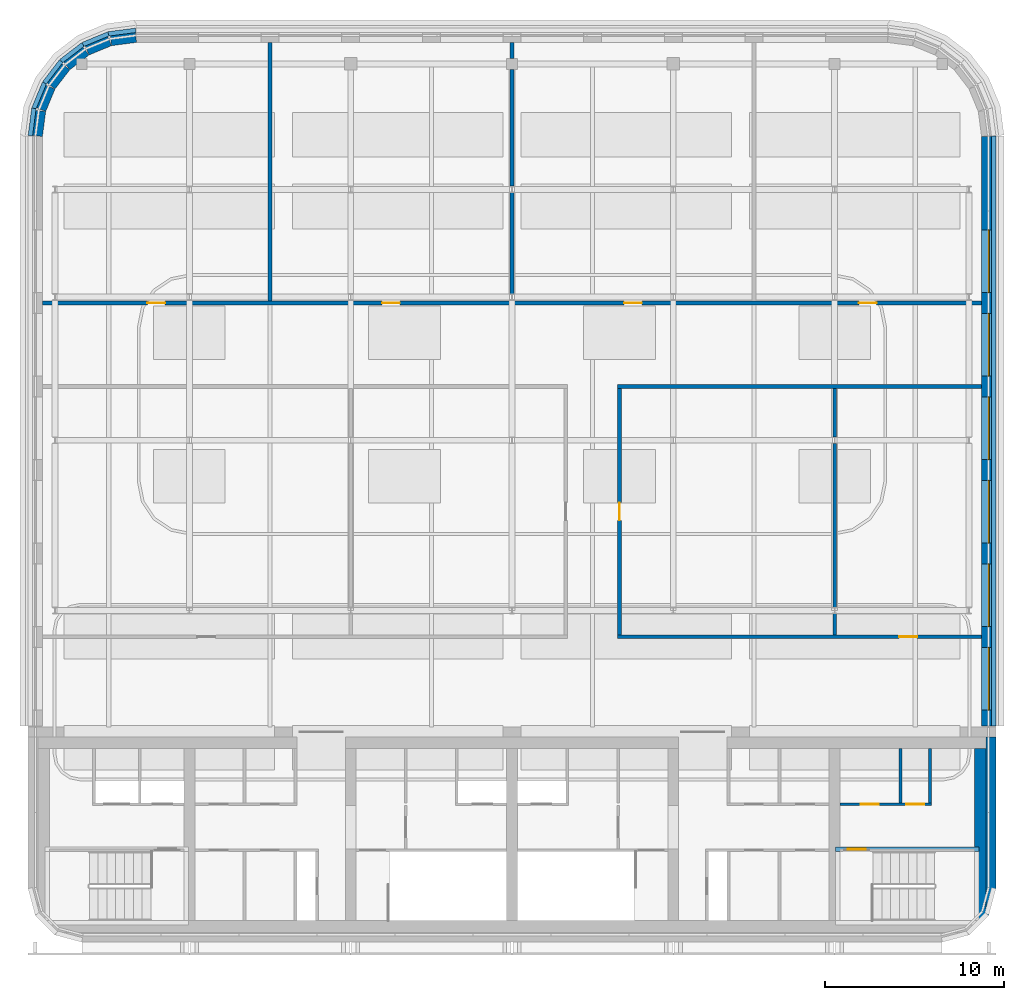
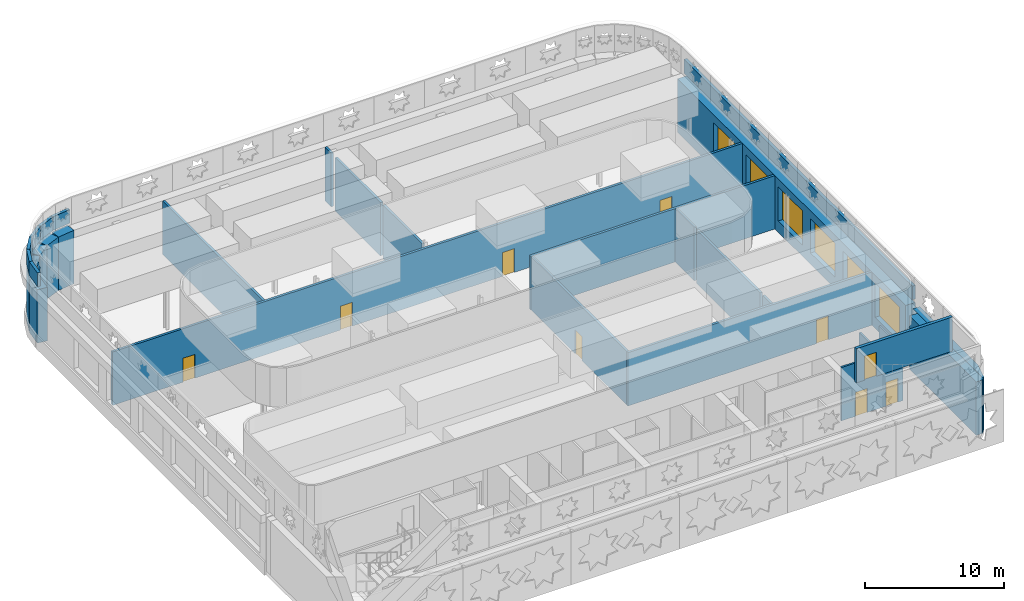
# One storey, part 8 of 14: 31 walls, 9 doors, 6 windows, 15 openings.
"""IFC4 building model written with IfcOpenShell, lengths in metres."""

from ifc_helpers import new_model, si_unit, direction, frame, frame_2d, origin, place, context, subcontext, project, spatial, polyline, rectangle, outline, extrude, material, layer, layer_set, type_object, element, fill, save


model = new_model("IFC4")

# Units and contexts
model_context = context("Model", 3, precision=1e-05, world=origin(), true_north=direction((0.0, 1.0)))
body_context = subcontext(model_context, "Body", "Model", "MODEL_VIEW")
ifc_project = project(units=[si_unit("LENGTHUNIT", "METRE"), si_unit("AREAUNIT", "SQUARE_METRE"), si_unit("VOLUMEUNIT", "CUBIC_METRE"), si_unit("PLANEANGLEUNIT", "RADIAN"), si_unit("MASSUNIT", "GRAM", prefix="KILO")], contexts=[model_context])

# Site, building, storey
site_placement = place(None, origin())
site = spatial("IfcSite", under=ifc_project, at=site_placement, CompositionType="ELEMENT")
building_placement = place(site_placement, origin())
building = spatial("IfcBuilding", under=site, at=building_placement, Name="Zellij Exchange Tower", CompositionType="ELEMENT")
storey_placement = place(building_placement, frame((0.0, 0.0, 305.5)))
storey = spatial("IfcBuildingStorey", under=building, at=storey_placement, Name="L71", CompositionType="ELEMENT", Elevation=305.5)

# Wall, opening, door
ifc_material_1 = material(Name="Concrete C40/50", Category="concrete")
ifc_layer_1 = layer(ifc_material_1, 0.25)
ifc_layer_set_1 = layer_set([ifc_layer_1], Name="Concrete C40/50")
wall_type_1 = type_object("IfcWallType", Name="CORE-HW 250 head-house wall", PredefinedType="SOLIDWALL", material=ifc_layer_set_1)
wall_1_placement = place(storey_placement, frame((18.050048828125, -8.824951171875, 5.0), z_axis=(0.0, 0.0, 1.0), x_axis=(1.0, 0.0, 0.0)))
wall_1 = element("IfcWall", 1, at=wall_1_placement, inside=storey, type_object=wall_type_1, Name="Stair ST4 head-house wall", PredefinedType="SOLIDWALL", context=body_context, shape_type="SweptSolid", body=[
    extrude(rectangle(XDim=8.0, YDim=0.25, at=frame_2d((4.0, 0.0))), origin(), (0.0, 0.0, 1.0), 3.0),
])
opening_1_placement = place(wall_1_placement, frame((0.675048828125, 0.0, 0.0)))
opening_1 = element("IfcOpeningElement", 2, at=opening_1_placement, cuts=wall_1, Name="Opening CA-38.26", PredefinedType="OPENING", context=body_context, shape_type="SweptSolid", body=[
    extrude(rectangle(XDim=1.0, YDim=2.10009765625, at=frame_2d((0.5, 1.050048828125))), frame((0.0, 0.136962890625, 0.0), z_axis=(0.0, -1.0, 0.0), x_axis=(1.0, 0.0, 0.0)), (0.0, 0.0, 1.0), 0.27392578125),
])
ifc_material_2 = material(Name="Hollow metal fire door")
door_type_1 = type_object("IfcDoorType", Name="CORE-D HD Stair roof door 1000x2100 1.5 HR", OperationType="NOTDEFINED", PredefinedType="DOOR", material=ifc_material_2)
door_1_placement = place(opening_1_placement, origin())
door_1 = element("IfcDoor", 3, at=door_1_placement, inside=storey, type_object=door_type_1, Name="Stair roof door CA-38.26", OperationType="SINGLE_SWING_LEFT", OverallHeight=2.10009765625, OverallWidth=1.0, PredefinedType="DOOR", context=body_context, shape_type="SweptSolid", body=[
    extrude(rectangle(XDim=1.0, YDim=2.10009765625, at=frame_2d((0.5, 1.050048828125))), frame((0.0, 0.02490234375, 0.0), z_axis=(0.0, -1.0, 0.0), x_axis=(1.0, 0.0, 0.0)), (0.0, 0.0, 1.0), 0.050048828125),
])
fill(opening_1, door_1)

# Walls
ifc_material_3 = material(Name="Concrete C30/37", Category="concrete")
ifc_layer_2 = layer(ifc_material_3, 0.64990234375)
ifc_layer_set_2 = layer_set([ifc_layer_2], Name="Concrete C30/37")
wall_type_2 = type_object("IfcWallType", Name="CORE-LW 650 C30/37", PredefinedType="SHEAR", material=ifc_layer_set_2)
wall_2_placement = place(storey_placement, origin())
element("IfcWall", 4, at=wall_2_placement, inside=storey, type_object=wall_type_2, Name="Core wall lining end e.0 L71", PredefinedType="SHEAR", context=body_context, shape_type="SweptSolid", body=[
    extrude(outline(polyline([(25.800048828125, -12.800048828125), (25.800048828125, -3.199951171875), (26.449951171875, -3.199951171875), (26.449951171875, -12.648193359375), (26.298095703125, -12.800048828125), (25.800048828125, -12.800048828125)])), origin(), (0.0, 0.0, 1.0), 4.699951171875),
])
ifc_material_4 = material(Name="Gypsum shaft wall system")
ifc_layer_3 = layer(ifc_material_4, 0.14990234375)
ifc_layer_set_3 = layer_set([ifc_layer_3], Name="Gypsum shaft wall system")
wall_type_3 = type_object("IfcWallType", Name="CORE-PW 150 Plant room wall", PredefinedType="PARTITIONING", material=ifc_layer_set_3)
for number, where, z_axis, x_axis, name in (
    (5, (21.675048828125, -6.22509765625, 0.0), (0.0, 0.0, 1.0), (0.0, 1.0, 0.0), "Plant room wall L71"),
    (6, (23.324951171875, -6.22509765625, 0.0), (0.0, 0.0, 1.0), (0.0, 1.0, 0.0), "Plant room wall L71"),
):
    element("IfcWall", number, at=place(storey_placement, frame(where, z_axis=z_axis, x_axis=x_axis)), inside=storey, type_object=wall_type_3, Name=name, PredefinedType="PARTITIONING", context=body_context, shape_type="SweptSolid", body=[
        extrude(rectangle(XDim=3.025146484375, YDim=0.14990234375, at=frame_2d((1.5126953125, 0.0))), origin(), (0.0, 0.0, 1.0), 4.699951171875),
    ])

# Wall, openings, doors
wall_3_placement = place(storey_placement, frame((18.300048828125, -6.300048828125, 0.0), z_axis=(0.0, 0.0, 1.0), x_axis=(1.0, 0.0, 0.0)))
wall_3 = element("IfcWall", 7, at=wall_3_placement, inside=storey, type_object=wall_type_3, Name="Plant room wall L71", PredefinedType="PARTITIONING", context=body_context, shape_type="SweptSolid", body=[
    extrude(rectangle(XDim=5.099853515625, YDim=0.14990234375, at=frame_2d((2.5498046875, 0.0))), origin(), (0.0, 0.0, 1.0), 4.699951171875),
])
opening_2_placement = place(wall_3_placement, frame((1.14990234375, 0.0, 0.0)))
opening_2 = element("IfcOpeningElement", 8, at=opening_2_placement, cuts=wall_3, Name="Opening CA-38.23", PredefinedType="OPENING", context=body_context, shape_type="SweptSolid", body=[
    extrude(rectangle(XDim=1.0, YDim=2.10009765625, at=frame_2d((0.5, 1.050048828125))), frame((0.0, 0.0869140625, 0.0), z_axis=(0.0, -1.0, 0.0), x_axis=(1.0, 0.0, 0.0)), (0.0, 0.0, 1.0), 0.173828125),
])
opening_3_placement = place(wall_3_placement, frame((3.699951171875, 0.0, 0.0)))
opening_3 = element("IfcOpeningElement", 9, at=opening_3_placement, cuts=wall_3, Name="Opening CA-38.24", PredefinedType="OPENING", context=body_context, shape_type="SweptSolid", body=[
    extrude(rectangle(XDim=1.0, YDim=2.10009765625, at=frame_2d((0.5, 1.050048828125))), frame((0.0, 0.0869140625, 0.0), z_axis=(0.0, -1.0, 0.0), x_axis=(1.0, 0.0, 0.0)), (0.0, 0.0, 1.0), 0.173828125),
])
door_type_2 = type_object("IfcDoorType", Name="CORE-D CDA Core room door 1000x2100 1.5 HR", OperationType="NOTDEFINED", PredefinedType="DOOR", material=ifc_material_2)
door_2_placement = place(opening_2_placement, origin())
door_2 = element("IfcDoor", 10, at=door_2_placement, inside=storey, type_object=door_type_2, Name="Core room door CA-38.23", OperationType="SINGLE_SWING_LEFT", OverallHeight=2.10009765625, OverallWidth=1.0, PredefinedType="DOOR", context=body_context, shape_type="SweptSolid", body=[
    extrude(rectangle(XDim=1.0, YDim=2.10009765625, at=frame_2d((0.5, 1.050048828125))), frame((0.0, 0.02490234375, 0.0), z_axis=(0.0, -1.0, 0.0), x_axis=(1.0, 0.0, 0.0)), (0.0, 0.0, 1.0), 0.050048828125),
])
fill(opening_2, door_2)
door_3_placement = place(opening_3_placement, origin())
door_3 = element("IfcDoor", 11, at=door_3_placement, inside=storey, type_object=door_type_2, Name="Core room door CA-38.24", OperationType="SINGLE_SWING_RIGHT", OverallHeight=2.10009765625, OverallWidth=1.0, PredefinedType="DOOR", context=body_context, shape_type="SweptSolid", body=[
    extrude(rectangle(XDim=1.0, YDim=2.10009765625, at=frame_2d((0.5, 1.050048828125))), frame((0.0, 0.02490234375, 0.0), z_axis=(0.0, -1.0, 0.0), x_axis=(1.0, 0.0, 0.0)), (0.0, 0.0, 1.0), 0.050048828125),
])
fill(opening_3, door_3)

# Wall
ifc_material_5 = material(Name="Concrete C50/60", Category="concrete")
ifc_layer_4 = layer(ifc_material_5, 0.550048828125)
ifc_layer_set_4 = layer_set([ifc_layer_4], Name="Concrete C50/60")
wall_type_4 = type_object("IfcWallType", Name="CORE-SW 550 C50/60", PredefinedType="SHEAR", material=ifc_layer_set_4)
wall_4_placement = place(storey_placement, origin())
element("IfcWall", 12, at=wall_4_placement, inside=storey, type_object=wall_type_4, Name="Core shear wall end e L71", PredefinedType="SHEAR", context=body_context, shape_type="SweptSolid", body=[
    extrude(outline(polyline([(27.0, -11.0), (26.59814453125, -12.5), (26.449951171875, -12.648193359375), (26.449951171875, -2.550048828125), (27.0, -2.550048828125), (27.0, -11.0)])), origin(), (0.0, 0.0, 1.0), 4.699951171875),
])

# Wall, openings, windows
ifc_material_6 = material(Name="Precast concrete C40/50", Category="concrete")
ifc_layer_5 = layer(ifc_material_6, 0.800048828125)
ifc_layer_set_5 = layer_set([ifc_layer_5], Name="Precast concrete C40/50")
wall_type_5 = type_object("IfcWallType", Name="ENV-EW1 Precast stone-piered wall 800", PredefinedType="SOLIDWALL", material=ifc_layer_set_5)
wall_5_placement = place(storey_placement, frame((26.60009765625, -1.949951171875, 0.0), z_axis=(0.0, 0.0, 1.0), x_axis=(0.0, 1.0, 0.0)))
wall_5 = element("IfcWall", 13, at=wall_5_placement, inside=storey, type_object=wall_type_5, Name="fac.L71.04", PredefinedType="SOLIDWALL", context=body_context, shape_type="SweptSolid", body=[
    extrude(rectangle(XDim=32.8974609375, YDim=0.800048828125, at=frame_2d((16.44873046875, 0.0))), origin(), (0.0, 0.0, 1.0), 4.699951171875),
])
opening_4_placement = place(wall_5_placement, frame((0.8974609375, 0.0, 1.0)))
opening_4 = element("IfcOpeningElement", 14, at=opening_4_placement, cuts=wall_5, Name="Opening FR.01", PredefinedType="OPENING", context=body_context, shape_type="SweptSolid", body=[
    extrude(rectangle(XDim=3.5, YDim=3.0, at=frame_2d((1.75, 1.5))), frame((0.0, 0.412109375, 0.0), z_axis=(0.0, -1.0, 0.0), x_axis=(1.0, 0.0, 0.0)), (0.0, 0.0, 1.0), 0.823974609375),
])
opening_5_placement = place(wall_5_placement, frame((5.555419921875, 0.0, 1.0)))
opening_5 = element("IfcOpeningElement", 15, at=opening_5_placement, cuts=wall_5, Name="Opening FR.02", PredefinedType="OPENING", context=body_context, shape_type="SweptSolid", body=[
    extrude(rectangle(XDim=3.5, YDim=3.0, at=frame_2d((1.75, 1.5))), frame((0.0, 0.412109375, 0.0), z_axis=(0.0, -1.0, 0.0), x_axis=(1.0, 0.0, 0.0)), (0.0, 0.0, 1.0), 0.823974609375),
])
opening_6_placement = place(wall_5_placement, frame((10.213134765625, 0.0, 1.0)))
opening_6 = element("IfcOpeningElement", 16, at=opening_6_placement, cuts=wall_5, Name="Opening FR.03", PredefinedType="OPENING", context=body_context, shape_type="SweptSolid", body=[
    extrude(rectangle(XDim=3.5, YDim=3.0, at=frame_2d((1.75, 1.5))), frame((0.0, 0.412109375, 0.0), z_axis=(0.0, -1.0, 0.0), x_axis=(1.0, 0.0, 0.0)), (0.0, 0.0, 1.0), 0.823974609375),
])
opening_7_placement = place(wall_5_placement, frame((14.87109375, 0.0, 1.0)))
opening_7 = element("IfcOpeningElement", 17, at=opening_7_placement, cuts=wall_5, Name="Opening FR.04", PredefinedType="OPENING", context=body_context, shape_type="SweptSolid", body=[
    extrude(rectangle(XDim=3.5, YDim=3.0, at=frame_2d((1.75, 1.5))), frame((0.0, 0.412109375, 0.0), z_axis=(0.0, -1.0, 0.0), x_axis=(1.0, 0.0, 0.0)), (0.0, 0.0, 1.0), 0.823974609375),
])
opening_8_placement = place(wall_5_placement, frame((19.529052734375, 0.0, 1.0)))
opening_8 = element("IfcOpeningElement", 18, at=opening_8_placement, cuts=wall_5, Name="Opening FR.05", PredefinedType="OPENING", context=body_context, shape_type="SweptSolid", body=[
    extrude(rectangle(XDim=3.5, YDim=3.0, at=frame_2d((1.75, 1.5))), frame((0.0, 0.412109375, 0.0), z_axis=(0.0, -1.0, 0.0), x_axis=(1.0, 0.0, 0.0)), (0.0, 0.0, 1.0), 0.823974609375),
])
opening_9_placement = place(wall_5_placement, frame((24.18701171875, 0.0, 1.0)))
opening_9 = element("IfcOpeningElement", 19, at=opening_9_placement, cuts=wall_5, Name="Opening FR.06", PredefinedType="OPENING", context=body_context, shape_type="SweptSolid", body=[
    extrude(rectangle(XDim=3.5, YDim=3.0, at=frame_2d((1.75, 1.5))), frame((0.0, 0.412109375, 0.0), z_axis=(0.0, -1.0, 0.0), x_axis=(1.0, 0.0, 0.0)), (0.0, 0.0, 1.0), 0.823974609375),
])
ifc_material_7 = material(Name="Aluminium louvre", Category="aluminium")
window_type = type_object("IfcWindowType", Name="ENV-W4 Window 3500x3000", PartitioningType="SINGLE_PANEL", PredefinedType="WINDOW", material=ifc_material_7)
window_1_placement = place(opening_4_placement, origin())
window_1 = element("IfcWindow", 20, at=window_1_placement, inside=storey, type_object=window_type, Name="Window FR.01", OverallHeight=3.0, OverallWidth=3.5, PartitioningType="SINGLE_PANEL", PredefinedType="WINDOW", context=body_context, shape_type="SweptSolid", body=[
    extrude(rectangle(XDim=3.5, YDim=3.0, at=frame_2d((1.75, 1.5))), frame((0.0, 0.030029296875, 0.0), z_axis=(0.0, -1.0, 0.0), x_axis=(1.0, 0.0, 0.0)), (0.0, 0.0, 1.0), 0.06005859375),
])
fill(opening_4, window_1)
window_2_placement = place(opening_5_placement, origin())
window_2 = element("IfcWindow", 21, at=window_2_placement, inside=storey, type_object=window_type, Name="Window FR.02", OverallHeight=3.0, OverallWidth=3.5, PartitioningType="SINGLE_PANEL", PredefinedType="WINDOW", context=body_context, shape_type="SweptSolid", body=[
    extrude(rectangle(XDim=3.5, YDim=3.0, at=frame_2d((1.75, 1.5))), frame((0.0, 0.030029296875, 0.0), z_axis=(0.0, -1.0, 0.0), x_axis=(1.0, 0.0, 0.0)), (0.0, 0.0, 1.0), 0.06005859375),
])
fill(opening_5, window_2)
window_3_placement = place(opening_6_placement, origin())
window_3 = element("IfcWindow", 22, at=window_3_placement, inside=storey, type_object=window_type, Name="Window FR.03", OverallHeight=3.0, OverallWidth=3.5, PartitioningType="SINGLE_PANEL", PredefinedType="WINDOW", context=body_context, shape_type="SweptSolid", body=[
    extrude(rectangle(XDim=3.5, YDim=3.0, at=frame_2d((1.75, 1.5))), frame((0.0, 0.030029296875, 0.0), z_axis=(0.0, -1.0, 0.0), x_axis=(1.0, 0.0, 0.0)), (0.0, 0.0, 1.0), 0.06005859375),
])
fill(opening_6, window_3)
window_4_placement = place(opening_7_placement, origin())
window_4 = element("IfcWindow", 23, at=window_4_placement, inside=storey, type_object=window_type, Name="Window FR.04", OverallHeight=3.0, OverallWidth=3.5, PartitioningType="SINGLE_PANEL", PredefinedType="WINDOW", context=body_context, shape_type="SweptSolid", body=[
    extrude(rectangle(XDim=3.5, YDim=3.0, at=frame_2d((1.75, 1.5))), frame((0.0, 0.030029296875, 0.0), z_axis=(0.0, -1.0, 0.0), x_axis=(1.0, 0.0, 0.0)), (0.0, 0.0, 1.0), 0.06005859375),
])
fill(opening_7, window_4)
window_5_placement = place(opening_8_placement, origin())
window_5 = element("IfcWindow", 24, at=window_5_placement, inside=storey, type_object=window_type, Name="Window FR.05", OverallHeight=3.0, OverallWidth=3.5, PartitioningType="SINGLE_PANEL", PredefinedType="WINDOW", context=body_context, shape_type="SweptSolid", body=[
    extrude(rectangle(XDim=3.5, YDim=3.0, at=frame_2d((1.75, 1.5))), frame((0.0, 0.030029296875, 0.0), z_axis=(0.0, -1.0, 0.0), x_axis=(1.0, 0.0, 0.0)), (0.0, 0.0, 1.0), 0.06005859375),
])
fill(opening_8, window_5)
window_6_placement = place(opening_9_placement, origin())
window_6 = element("IfcWindow", 25, at=window_6_placement, inside=storey, type_object=window_type, Name="Window FR.06", OverallHeight=3.0, OverallWidth=3.5, PartitioningType="SINGLE_PANEL", PredefinedType="WINDOW", context=body_context, shape_type="SweptSolid", body=[
    extrude(rectangle(XDim=3.5, YDim=3.0, at=frame_2d((1.75, 1.5))), frame((0.0, 0.030029296875, 0.0), z_axis=(0.0, -1.0, 0.0), x_axis=(1.0, 0.0, 0.0)), (0.0, 0.0, 1.0), 0.06005859375),
])
fill(opening_9, window_6)

# Walls
wall_6_placement = place(storey_placement, frame((-20.999755859375, 36.5966796875, 0.0), z_axis=(0.0, 0.0, 1.0), x_axis=(-0.99144603414, -0.130517283865, 0.0)))
element("IfcWall", 26, at=wall_6_placement, inside=storey, type_object=wall_type_5, Name="fac.L71.12", PredefinedType="SOLIDWALL", context=body_context, shape_type="SweptSolid", body=[
    extrude(rectangle(XDim=1.408447265625, YDim=0.800048828125, at=frame_2d((0.7041015625, 0.0))), origin(), (0.0, 0.0, 1.0), 4.699951171875),
])
wall_7_placement = place(storey_placement, frame((-22.497314453125, 36.3857421875, 0.0), z_axis=(0.0, 0.0, 1.0), x_axis=(-0.923847774587, -0.38276009378, 0.0)))
element("IfcWall", 27, at=wall_7_placement, inside=storey, type_object=wall_type_5, Name="fac.L71.13", PredefinedType="SOLIDWALL", context=body_context, shape_type="SweptSolid", body=[
    extrude(rectangle(XDim=1.35546875, YDim=0.800048828125, at=frame_2d((0.677734375, 0.0))), origin(), (0.0, 0.0, 1.0), 4.699951171875),
])
for number, where, z_axis, x_axis, name in (
    (28, (-23.840087890625, 35.814697265625, 0.0), (0.0, 0.0, 1.0), (-0.793272915452, -0.608866226366, 0.0), "fac.L71.14"),
    (29, (-24.9892578125, 34.91552734375, 0.0), (0.0, 0.0, 1.0), (-0.608866226366, -0.793272915452, 0.0), "fac.L71.15"),
):
    element("IfcWall", number, at=place(storey_placement, frame(where, z_axis=z_axis, x_axis=x_axis)), inside=storey, type_object=wall_type_5, Name=name, PredefinedType="SOLIDWALL", context=body_context, shape_type="SweptSolid", body=[
        extrude(rectangle(XDim=1.355712890625, YDim=0.800048828125, at=frame_2d((0.677734375, 0.0))), origin(), (0.0, 0.0, 1.0), 4.699951171875),
    ])
wall_8_placement = place(storey_placement, frame((-25.866943359375, 33.74951171875, 0.0), z_axis=(0.0, 0.0, 1.0), x_axis=(-0.38276009378, -0.923847774587, 0.0)))
element("IfcWall", 30, at=wall_8_placement, inside=storey, type_object=wall_type_5, Name="fac.L71.16", PredefinedType="SOLIDWALL", context=body_context, shape_type="SweptSolid", body=[
    extrude(rectangle(XDim=1.35546875, YDim=0.800048828125, at=frame_2d((0.677734375, 0.0))), origin(), (0.0, 0.0, 1.0), 4.699951171875),
])
wall_9_placement = place(storey_placement, frame((-26.412841796875, 32.396240234375, 0.0), z_axis=(0.0, 0.0, 1.0), x_axis=(-0.130517283865, -0.99144603414, 0.0)))
element("IfcWall", 31, at=wall_9_placement, inside=storey, type_object=wall_type_5, Name="fac.L71.17", PredefinedType="SOLIDWALL", context=body_context, shape_type="SweptSolid", body=[
    extrude(rectangle(XDim=1.408447265625, YDim=0.800048828125, at=frame_2d((0.7041015625, 0.0))), origin(), (0.0, 0.0, 1.0), 4.699951171875),
])
ifc_layer_6 = layer(ifc_material_6, 0.25)
ifc_layer_set_6 = layer_set([ifc_layer_6], Name="Precast concrete C40/50")
wall_type_6 = type_object("IfcWallType", Name="ENV-PR1 Parapet 250", PredefinedType="PARAPET", material=ifc_layer_set_6)
wall_10_placement = place(storey_placement, frame((26.875, -1.949951171875, 5.0), z_axis=(0.0, 0.0, 1.0), x_axis=(0.0, 1.0, 0.0)))
element("IfcWall", 32, at=wall_10_placement, inside=storey, type_object=wall_type_6, Name="fac.par.roof.04.00900.01", PredefinedType="PARAPET", context=body_context, shape_type="SweptSolid", body=[
    extrude(rectangle(XDim=32.923828125, YDim=0.25, at=frame_2d((16.4619140625, 0.0))), origin(), (0.0, 0.0, 1.0), 1.199951171875),
])
wall_11_placement = place(storey_placement, frame((-20.99169921875, 36.875, 5.0), z_axis=(0.0, 0.0, 1.0), x_axis=(-0.991450522243, -0.130483186444, 0.0)))
element("IfcWall", 33, at=wall_11_placement, inside=storey, type_object=wall_type_6, Name="fac.par.roof.12.00000.01", PredefinedType="PARAPET", context=body_context, shape_type="SweptSolid", body=[
    extrude(rectangle(XDim=1.541748046875, YDim=0.25, at=frame_2d((0.77099609375, 0.0))), origin(), (0.0, 0.0, 1.0), 1.199951171875),
])
wall_12_placement = place(storey_placement, frame((-22.520263671875, 36.673828125, 5.0), z_axis=(0.0, 0.0, 1.0), x_axis=(-0.923861592916, -0.382726739509, 0.0)))
element("IfcWall", 34, at=wall_12_placement, inside=storey, type_object=wall_type_6, Name="fac.par.roof.13.00000.01", PredefinedType="PARAPET", context=body_context, shape_type="SweptSolid", body=[
    extrude(rectangle(XDim=1.533447265625, YDim=0.25, at=frame_2d((0.7666015625, 0.0))), origin(), (0.0, 0.0, 1.0), 1.199951171875),
])
for number, where, z_axis, x_axis, name in (
    (35, (-23.93701171875, 36.0869140625, 5.0), (0.0, 0.0, 1.0), (-0.793262824213, -0.608879373703, 0.0), "fac.par.roof.14.00000.01"),
    (36, (-25.1533203125, 35.1533203125, 5.0), (0.0, 0.0, 1.0), (-0.608879373703, -0.793262824213, 0.0), "fac.par.roof.15.00000.01"),
):
    element("IfcWall", number, at=place(storey_placement, frame(where, z_axis=z_axis, x_axis=x_axis)), inside=storey, type_object=wall_type_6, Name=name, PredefinedType="PARAPET", context=body_context, shape_type="SweptSolid", body=[
        extrude(rectangle(XDim=1.533203125, YDim=0.25, at=frame_2d((0.7666015625, 0.0))), origin(), (0.0, 0.0, 1.0), 1.199951171875),
    ])
wall_13_placement = place(storey_placement, frame((-26.0869140625, 33.93701171875, 5.0), z_axis=(0.0, 0.0, 1.0), x_axis=(-0.382726739509, -0.923861592916, 0.0)))
element("IfcWall", 37, at=wall_13_placement, inside=storey, type_object=wall_type_6, Name="fac.par.roof.16.00000.01", PredefinedType="PARAPET", context=body_context, shape_type="SweptSolid", body=[
    extrude(rectangle(XDim=1.533447265625, YDim=0.25, at=frame_2d((0.7666015625, 0.0))), origin(), (0.0, 0.0, 1.0), 1.199951171875),
])
wall_14_placement = place(storey_placement, frame((-26.673828125, 32.520263671875, 5.0), z_axis=(0.0, 0.0, 1.0), x_axis=(-0.130483186444, -0.991450522243, 0.0)))
element("IfcWall", 38, at=wall_14_placement, inside=storey, type_object=wall_type_6, Name="fac.par.roof.17.00000.01", PredefinedType="PARAPET", context=body_context, shape_type="SweptSolid", body=[
    extrude(rectangle(XDim=1.541748046875, YDim=0.25, at=frame_2d((0.77099609375, 0.0))), origin(), (0.0, 0.0, 1.0), 1.199951171875),
])

# Wall, opening, door
ifc_material_8 = material(Name="Blockwork fire wall", Category="masonry")
ifc_layer_7 = layer(ifc_material_8, 0.199951171875)
ifc_layer_set_7 = layer_set([ifc_layer_7], Name="Blockwork fire wall")
wall_type_7 = type_object("IfcWallType", Name="FIT-BLOCKWORK-200-EI120", PredefinedType="PARTITIONING", material=ifc_layer_set_7)
wall_15_placement = place(storey_placement, frame((5.89990234375, 3.030029296875, 0.0), z_axis=(0.0, 0.0, 1.0), x_axis=(1.0, 0.0, 0.0)))
wall_15 = element("IfcWall", 39, at=wall_15_placement, inside=storey, type_object=wall_type_7, Name="FIT-BLOCKWORK-200-EI120 006", PredefinedType="PARTITIONING", context=body_context, shape_type="SweptSolid", body=[
    extrude(rectangle(XDim=20.300048828125, YDim=0.199951171875, at=frame_2d((10.14990234375, 0.0))), origin(), (0.0, 0.0, 1.0), 4.699951171875),
])
opening_10_placement = place(wall_15_placement, frame((15.699951171875, 0.0, 0.0)))
opening_10 = element("IfcOpeningElement", 40, at=opening_10_placement, cuts=wall_15, Name="Opening PRF.02", PredefinedType="OPENING", context=body_context, shape_type="SweptSolid", body=[
    extrude(rectangle(XDim=1.0, YDim=2.10009765625, at=frame_2d((0.5, 1.050048828125))), frame((0.0, 0.11181640625, 0.0), z_axis=(0.0, -1.0, 0.0), x_axis=(1.0, 0.0, 0.0)), (0.0, 0.0, 1.0), 0.223876953125),
])
ifc_material_9 = material(Name="Steel fire door set", Category="steel")
door_type_3 = type_object("IfcDoorType", Name="FIT-D21-PLANT-1000X2100", OperationType="SINGLE_SWING_LEFT", PredefinedType="DOOR", material=ifc_material_9)
door_4_placement = place(opening_10_placement, origin())
door_4 = element("IfcDoor", 41, at=door_4_placement, inside=storey, type_object=door_type_3, Name="Door PRF.02", OperationType="SINGLE_SWING_RIGHT", OverallHeight=2.10009765625, OverallWidth=1.0, PredefinedType="DOOR", context=body_context, shape_type="SweptSolid", body=[
    extrude(rectangle(XDim=1.0, YDim=2.10009765625, at=frame_2d((0.5, 1.050048828125))), frame((0.0, 0.02490234375, 0.0), z_axis=(0.0, -1.0, 0.0), x_axis=(1.0, 0.0, 0.0)), (0.0, 0.0, 1.0), 0.050048828125),
])
fill(opening_10, door_4)

wall_16_placement = place(storey_placement, frame((6.0, 3.1298828125, 0.0), z_axis=(0.0, 0.0, 1.0), x_axis=(0.0, 1.0, 0.0)))
wall_16 = element("IfcWall", 42, at=wall_16_placement, inside=storey, type_object=wall_type_7, Name="FIT-BLOCKWORK-200-EI120 007", PredefinedType="PARTITIONING", context=body_context, shape_type="SweptSolid", body=[
    extrude(rectangle(XDim=13.77001953125, YDim=0.199951171875, at=frame_2d((6.885009765625, 0.0))), origin(), (0.0, 0.0, 1.0), 4.699951171875),
])
opening_11_placement = place(wall_16_placement, frame((6.39990234375, 0.0, 0.0)))
opening_11 = element("IfcOpeningElement", 43, at=opening_11_placement, cuts=wall_16, Name="Opening PRF.04", PredefinedType="OPENING", context=body_context, shape_type="SweptSolid", body=[
    extrude(rectangle(XDim=1.0, YDim=2.10009765625, at=frame_2d((0.5, 1.050048828125))), frame((0.0, 0.11181640625, 0.0), z_axis=(0.0, -1.0, 0.0), x_axis=(1.0, 0.0, 0.0)), (0.0, 0.0, 1.0), 0.223876953125),
])
door_5_placement = place(opening_11_placement, origin())
door_5 = element("IfcDoor", 44, at=door_5_placement, inside=storey, type_object=door_type_3, Name="Door PRF.04", OperationType="SINGLE_SWING_LEFT", OverallHeight=2.10009765625, OverallWidth=1.0, PredefinedType="DOOR", context=body_context, shape_type="SweptSolid", body=[
    extrude(rectangle(XDim=1.0, YDim=2.10009765625, at=frame_2d((0.5, 1.050048828125))), frame((0.0, 0.02490234375, 0.0), z_axis=(0.0, -1.0, 0.0), x_axis=(1.0, 0.0, 0.0)), (0.0, 0.0, 1.0), 0.050048828125),
])
fill(opening_11, door_5)

# Walls
wall_17_placement = place(storey_placement, frame((18.0, 3.1298828125, 0.0), z_axis=(0.0, 0.0, 1.0), x_axis=(0.0, 1.0, 0.0)))
element("IfcWall", 45, at=wall_17_placement, inside=storey, type_object=wall_type_7, Name="FIT-BLOCKWORK-200-EI120 008", PredefinedType="PARTITIONING", context=body_context, shape_type="SweptSolid", body=[
    extrude(rectangle(XDim=1.193603515625, YDim=0.199951171875, at=frame_2d((0.5966796875, 0.0))), origin(), (0.0, 0.0, 1.0), 4.699951171875),
])
wall_18_placement = place(storey_placement, frame((18.0, 4.676513671875, 0.0), z_axis=(0.0, 0.0, 1.0), x_axis=(0.0, 1.0, 0.0)))
element("IfcWall", 46, at=wall_18_placement, inside=storey, type_object=wall_type_7, Name="FIT-BLOCKWORK-200-EI120 009", PredefinedType="PARTITIONING", context=body_context, shape_type="SweptSolid", body=[
    extrude(rectangle(XDim=9.14697265625, YDim=0.199951171875, at=frame_2d((4.573486328125, 0.0))), origin(), (0.0, 0.0, 1.0), 4.699951171875),
])
wall_19_placement = place(storey_placement, frame((18.0, 14.176513671875, 0.0), z_axis=(0.0, 0.0, 1.0), x_axis=(0.0, 1.0, 0.0)))
element("IfcWall", 47, at=wall_19_placement, inside=storey, type_object=wall_type_7, Name="FIT-BLOCKWORK-200-EI120 010", PredefinedType="PARTITIONING", context=body_context, shape_type="SweptSolid", body=[
    extrude(rectangle(XDim=2.723388671875, YDim=0.199951171875, at=frame_2d((1.36181640625, 0.0))), origin(), (0.0, 0.0, 1.0), 4.699951171875),
])
wall_20_placement = place(storey_placement, frame((5.89990234375, 17.0, 0.0), z_axis=(0.0, 0.0, 1.0), x_axis=(1.0, 0.0, 0.0)))
element("IfcWall", 48, at=wall_20_placement, inside=storey, type_object=wall_type_7, Name="FIT-BLOCKWORK-200-EI120 012", PredefinedType="PARTITIONING", context=body_context, shape_type="SweptSolid", body=[
    extrude(rectangle(XDim=20.300048828125, YDim=0.199951171875, at=frame_2d((10.14990234375, 0.0))), origin(), (0.0, 0.0, 1.0), 4.699951171875),
])

# Wall, openings, doors
wall_21_placement = place(storey_placement, frame((-26.199951171875, 21.659912109375, 0.0), z_axis=(0.0, 0.0, 1.0), x_axis=(1.0, 0.0, 0.0)))
wall_21 = element("IfcWall", 49, at=wall_21_placement, inside=storey, type_object=wall_type_7, Name="FIT-BLOCKWORK-200-EI120 013", PredefinedType="PARTITIONING", context=body_context, shape_type="SweptSolid", body=[
    extrude(rectangle(XDim=52.39990234375, YDim=0.199951171875, at=frame_2d((26.199951171875, 0.0))), origin(), (0.0, 0.0, 1.0), 4.699951171875),
])
opening_12_placement = place(wall_21_placement, frame((5.85009765625, 0.0, 0.0)))
opening_12 = element("IfcOpeningElement", 50, at=opening_12_placement, cuts=wall_21, Name="Opening PRF.05", PredefinedType="OPENING", context=body_context, shape_type="SweptSolid", body=[
    extrude(rectangle(XDim=1.0, YDim=2.10009765625, at=frame_2d((0.5, 1.050048828125))), frame((0.0, 0.11181640625, 0.0), z_axis=(0.0, -1.0, 0.0), x_axis=(1.0, 0.0, 0.0)), (0.0, 0.0, 1.0), 0.223876953125),
])
opening_13_placement = place(wall_21_placement, frame((18.949951171875, 0.0, 0.0)))
opening_13 = element("IfcOpeningElement", 51, at=opening_13_placement, cuts=wall_21, Name="Opening PRF.06", PredefinedType="OPENING", context=body_context, shape_type="SweptSolid", body=[
    extrude(rectangle(XDim=1.0, YDim=2.10009765625, at=frame_2d((0.5, 1.050048828125))), frame((0.0, 0.11181640625, 0.0), z_axis=(0.0, -1.0, 0.0), x_axis=(1.0, 0.0, 0.0)), (0.0, 0.0, 1.0), 0.223876953125),
])
opening_14_placement = place(wall_21_placement, frame((32.449951171875, 0.0, 0.0)))
opening_14 = element("IfcOpeningElement", 52, at=opening_14_placement, cuts=wall_21, Name="Opening PRF.07", PredefinedType="OPENING", context=body_context, shape_type="SweptSolid", body=[
    extrude(rectangle(XDim=1.0, YDim=2.10009765625, at=frame_2d((0.5, 1.050048828125))), frame((0.0, 0.11181640625, 0.0), z_axis=(0.0, -1.0, 0.0), x_axis=(1.0, 0.0, 0.0)), (0.0, 0.0, 1.0), 0.223876953125),
])
opening_15_placement = place(wall_21_placement, frame((45.550048828125, 0.0, 0.0)))
opening_15 = element("IfcOpeningElement", 53, at=opening_15_placement, cuts=wall_21, Name="Opening PRF.08", PredefinedType="OPENING", context=body_context, shape_type="SweptSolid", body=[
    extrude(rectangle(XDim=1.0, YDim=2.10009765625, at=frame_2d((0.5, 1.050048828125))), frame((0.0, 0.11181640625, 0.0), z_axis=(0.0, -1.0, 0.0), x_axis=(1.0, 0.0, 0.0)), (0.0, 0.0, 1.0), 0.223876953125),
])
door_6_placement = place(opening_12_placement, origin())
door_6 = element("IfcDoor", 54, at=door_6_placement, inside=storey, type_object=door_type_3, Name="Door PRF.05", OperationType="SINGLE_SWING_LEFT", OverallHeight=2.10009765625, OverallWidth=1.0, PredefinedType="DOOR", context=body_context, shape_type="SweptSolid", body=[
    extrude(rectangle(XDim=1.0, YDim=2.10009765625, at=frame_2d((0.5, 1.050048828125))), frame((0.0, 0.02490234375, 0.0), z_axis=(0.0, -1.0, 0.0), x_axis=(1.0, 0.0, 0.0)), (0.0, 0.0, 1.0), 0.050048828125),
])
fill(opening_12, door_6)
door_7_placement = place(opening_13_placement, origin())
door_7 = element("IfcDoor", 55, at=door_7_placement, inside=storey, type_object=door_type_3, Name="Door PRF.06", OperationType="SINGLE_SWING_LEFT", OverallHeight=2.10009765625, OverallWidth=1.0, PredefinedType="DOOR", context=body_context, shape_type="SweptSolid", body=[
    extrude(rectangle(XDim=1.0, YDim=2.10009765625, at=frame_2d((0.5, 1.050048828125))), frame((0.0, 0.02490234375, 0.0), z_axis=(0.0, -1.0, 0.0), x_axis=(1.0, 0.0, 0.0)), (0.0, 0.0, 1.0), 0.050048828125),
])
fill(opening_13, door_7)
door_8_placement = place(opening_14_placement, origin())
door_8 = element("IfcDoor", 56, at=door_8_placement, inside=storey, type_object=door_type_3, Name="Door PRF.07", OperationType="SINGLE_SWING_LEFT", OverallHeight=2.10009765625, OverallWidth=1.0, PredefinedType="DOOR", context=body_context, shape_type="SweptSolid", body=[
    extrude(rectangle(XDim=1.0, YDim=2.10009765625, at=frame_2d((0.5, 1.050048828125))), frame((0.0, 0.02490234375, 0.0), z_axis=(0.0, -1.0, 0.0), x_axis=(1.0, 0.0, 0.0)), (0.0, 0.0, 1.0), 0.050048828125),
])
fill(opening_14, door_8)
door_9_placement = place(opening_15_placement, origin())
door_9 = element("IfcDoor", 57, at=door_9_placement, inside=storey, type_object=door_type_3, Name="Door PRF.08", OperationType="SINGLE_SWING_RIGHT", OverallHeight=2.10009765625, OverallWidth=1.0, PredefinedType="DOOR", context=body_context, shape_type="SweptSolid", body=[
    extrude(rectangle(XDim=1.0, YDim=2.10009765625, at=frame_2d((0.5, 1.050048828125))), frame((0.0, 0.02490234375, 0.0), z_axis=(0.0, -1.0, 0.0), x_axis=(1.0, 0.0, 0.0)), (0.0, 0.0, 1.0), 0.050048828125),
])
fill(opening_15, door_9)

# Walls
wall_22_placement = place(storey_placement, frame((-13.5, 21.760009765625, 0.0), z_axis=(0.0, 0.0, 1.0), x_axis=(0.0, 1.0, 0.0)))
element("IfcWall", 58, at=wall_22_placement, inside=storey, type_object=wall_type_7, Name="FIT-BLOCKWORK-200-EI120 014", PredefinedType="PARTITIONING", context=body_context, shape_type="SweptSolid", body=[
    extrude(rectangle(XDim=14.43994140625, YDim=0.199951171875, at=frame_2d((7.219970703125, 0.0))), origin(), (0.0, 0.0, 1.0), 4.699951171875),
])
wall_23_placement = place(storey_placement, frame((0.0, 22.176513671875, 0.0), z_axis=(0.0, 0.0, 1.0), x_axis=(0.0, 1.0, 0.0)))
element("IfcWall", 59, at=wall_23_placement, inside=storey, type_object=wall_type_7, Name="FIT-BLOCKWORK-200-EI120 015", PredefinedType="PARTITIONING", context=body_context, shape_type="SweptSolid", body=[
    extrude(rectangle(XDim=5.64697265625, YDim=0.199951171875, at=frame_2d((2.823486328125, 0.0))), origin(), (0.0, 0.0, 1.0), 4.699951171875),
])
wall_24_placement = place(storey_placement, frame((0.0, 28.176513671875, 0.0), z_axis=(0.0, 0.0, 1.0), x_axis=(0.0, 1.0, 0.0)))
element("IfcWall", 60, at=wall_24_placement, inside=storey, type_object=wall_type_7, Name="FIT-BLOCKWORK-200-EI120 016", PredefinedType="PARTITIONING", context=body_context, shape_type="SweptSolid", body=[
    extrude(rectangle(XDim=6.5234375, YDim=0.199951171875, at=frame_2d((3.26171875, 0.0))), origin(), (0.0, 0.0, 1.0), 4.699951171875),
])
wall_25_placement = place(storey_placement, frame((0.0, 35.300048828125, 0.0), z_axis=(0.0, 0.0, 1.0), x_axis=(0.0, 1.0, 0.0)))
element("IfcWall", 61, at=wall_25_placement, inside=storey, type_object=wall_type_7, Name="FIT-BLOCKWORK-200-EI120 017", PredefinedType="PARTITIONING", context=body_context, shape_type="SweptSolid", body=[
    extrude(rectangle(XDim=0.89990234375, YDim=0.199951171875, at=frame_2d((0.449951171875, 0.0))), origin(), (0.0, 0.0, 1.0), 4.699951171875),
])

save(model, "model.ifc")
